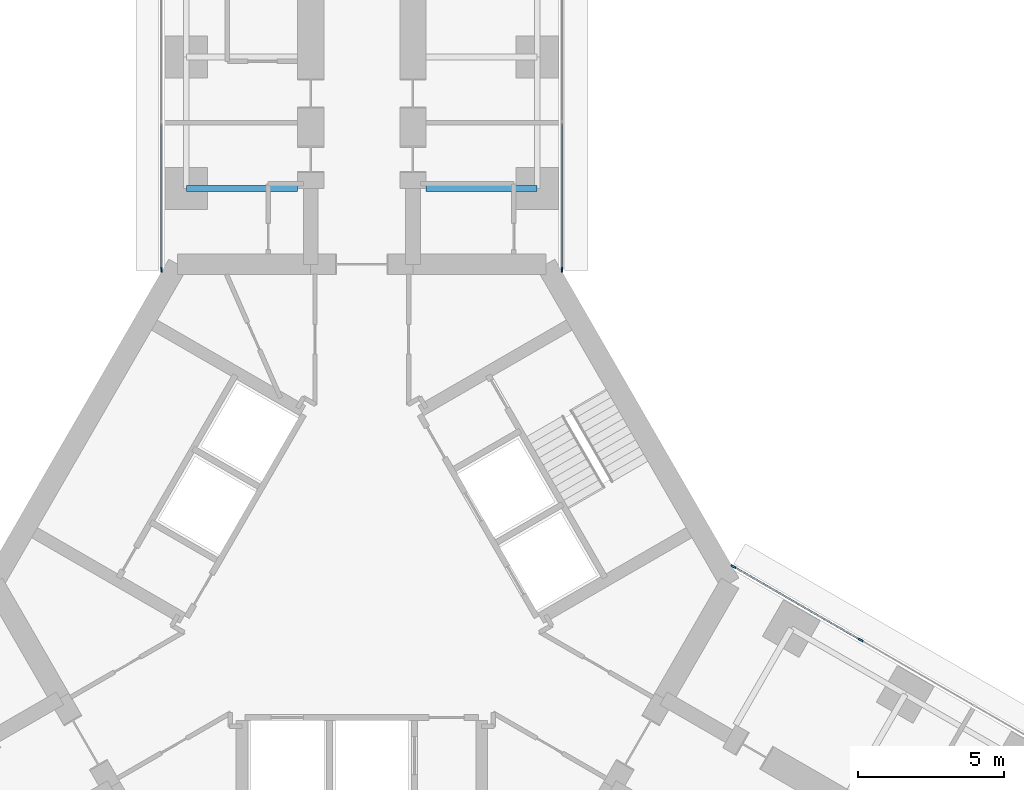
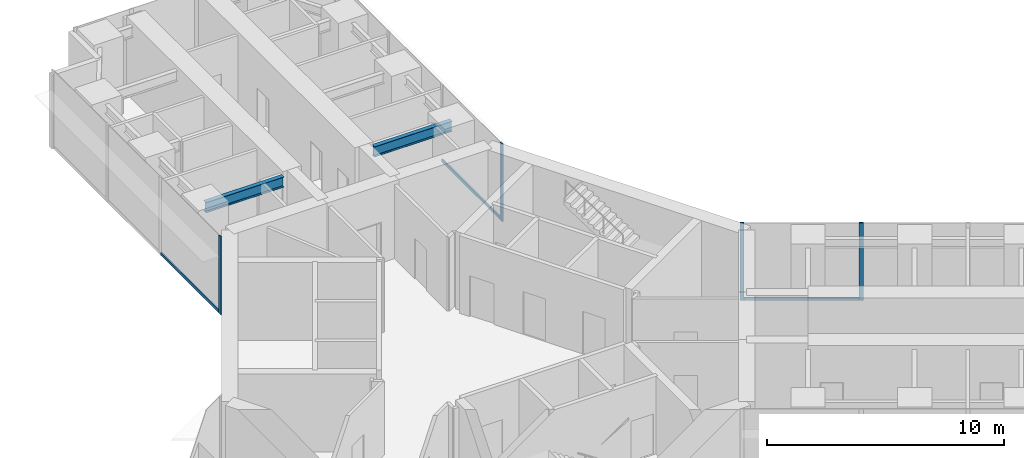
# One storey, part 11 of 24: 7 members, 2 beams, 3 elements without a shape of their own.
"""IFC4 building model written with IfcOpenShell, lengths in metres."""

from ifc_helpers import new_model, si_unit, direction, frame, origin, origin_2d, place, context, subcontext, project, spatial, rectangle, i_section, extrude, material, material_profile, profile_set, type_object, element, aggregate, save


model = new_model("IFC4")

# Units and contexts
model_context = context("Model", 3, precision=1e-05, world=origin(), true_north=direction((0.0, 1.0)))
body_context = subcontext(model_context, "Body", "Model", "MODEL_VIEW")
ifc_project = project(units=[si_unit("LENGTHUNIT", "METRE"), si_unit("AREAUNIT", "SQUARE_METRE"), si_unit("VOLUMEUNIT", "CUBIC_METRE"), si_unit("PLANEANGLEUNIT", "RADIAN"), si_unit("MASSUNIT", "GRAM", prefix="KILO")], contexts=[model_context])

# Site, building, storey
site_placement = place(None, origin())
site = spatial("IfcSite", under=ifc_project, at=site_placement, CompositionType="ELEMENT")
building_placement = place(site_placement, origin())
building = spatial("IfcBuilding", under=site, at=building_placement, Name="Upepo Twin Towers", CompositionType="ELEMENT")
storey_placement = place(building_placement, frame((0.0, 0.0, 48.5)))
storey = spatial("IfcBuildingStorey", under=building, at=storey_placement, Name="L11", CompositionType="ELEMENT", Elevation=48.5)

# Beams
ifc_material_1 = material(Name="Steel S355", Category="steel")
ifc_material_profile_1 = material_profile(ifc_material_1, i_section(OverallWidth=0.209228515625, OverallDepth=0.533203125, WebThickness=0.010009765625, FlangeThickness=0.015625, FilletRadius=0.0126953125, at=origin_2d()), Name="UB 533x210x92")
ifc_profile_set_1 = profile_set([ifc_material_profile_1], Name="Steel S355")
beam_type = type_object("IfcBeamType", Name="Beam UB 533x210x92", PredefinedType="BEAM", material=ifc_profile_set_1)
for number, where, z_axis, x_axis, name in (
    (1, (52.5, -4.5, 3.533447265625), (1.0, 0.0, 0.0), (0.0, 1.0, 0.0), "T2 girder AL at 13.5"),
    (2, (64.5, -4.5, 3.533447265625), (-1.0, 0.0, 0.0), (0.0, -1.0, 0.0), "T2 girder AR at 13.5"),
):
    element("IfcBeam", number, at=place(storey_placement, frame(where, z_axis=z_axis, x_axis=x_axis)), inside=storey, type_object=beam_type, Name=name, PredefinedType="BEAM", context=body_context, shape_type="SweptSolid", body=[
        extrude(i_section(OverallWidth=0.209228515625, OverallDepth=0.533203125, WebThickness=0.010009765625, FlangeThickness=0.015625, FilletRadius=0.0126953125, at=origin_2d()), origin(), (0.0, 0.0, 1.0), 3.800048828125),
    ])

# Curtain wall, member
ifc_material_2 = material(Name="Aluminium and fritted glass", Category="aluminium")
curtain_wall_type = type_object("IfcCurtainWallType", Name="Tower curtain wall TW1, fritted glass", PredefinedType="NOTDEFINED", material=ifc_material_2)
curtain_wall_1_placement = place(storey_placement, origin())
curtain_wall_1 = element("IfcCurtainWall", 3, at=curtain_wall_1_placement, inside=storey, type_object=curtain_wall_type, Name="T2 L11 wing A flank L curtain wall", PredefinedType="NOTDEFINED")
ifc_material_3 = material(Name="Aluminium mullion", Category="aluminium")
ifc_material_profile_2 = material_profile(ifc_material_3, rectangle(XDim=0.06494140625, YDim=0.179931640625, at=origin_2d()), Name="MULLION 65x180")
ifc_profile_set_2 = profile_set([ifc_material_profile_2], Name="Aluminium mullion")
member_type_1 = type_object("IfcMemberType", Name="Mullion 65x180 TW1", PredefinedType="MULLION", material=ifc_profile_set_2)
member_1_placement = place(storey_placement, frame((51.64990234375, -7.2802734375, 0.0), z_axis=(0.0, 0.0, 1.0), x_axis=(-1.0, 0.0, 0.0)))
member_1 = element("IfcMember", 4, at=member_1_placement, type_object=member_type_1, Name="T2 L11 wing A flank L curtain wall mullion 1", PredefinedType="MULLION", context=body_context, shape_type="SweptSolid", body=[
    extrude(rectangle(XDim=0.06494140625, YDim=0.179931640625, at=origin_2d()), origin(), (0.0, 0.0, 1.0), 4.0),
])

curtain_wall_2_placement = place(storey_placement, origin())
curtain_wall_2 = element("IfcCurtainWall", 5, at=curtain_wall_2_placement, inside=storey, type_object=curtain_wall_type, Name="T2 L11 wing A flank R curtain wall", PredefinedType="NOTDEFINED")
member_2_placement = place(storey_placement, frame((65.35009765625, -7.2802734375, 0.0), z_axis=(0.0, 0.0, 1.0), x_axis=(1.0, 0.0, 0.0)))
member_2 = element("IfcMember", 6, at=member_2_placement, type_object=member_type_1, Name="T2 L11 wing A flank R curtain wall mullion 4", PredefinedType="MULLION", context=body_context, shape_type="SweptSolid", body=[
    extrude(rectangle(XDim=0.06494140625, YDim=0.179931640625, at=origin_2d()), origin(), (0.0, 0.0, 1.0), 4.0),
])

# Curtain wall, members
curtain_wall_3_placement = place(storey_placement, origin())
curtain_wall_3 = element("IfcCurtainWall", 7, at=curtain_wall_3_placement, inside=storey, type_object=curtain_wall_type, Name="T2 L11 wing C flank L curtain wall", PredefinedType="NOTDEFINED")
member_3_placement = place(storey_placement, frame((71.20849609375, -17.427490234375, 0.0), z_axis=(0.0, 0.0, 1.0), x_axis=(0.500000024426, 0.866025389682, 0.0)))
member_3 = element("IfcMember", 8, at=member_3_placement, type_object=member_type_1, Name="T2 L11 wing C flank L curtain wall mullion 1", PredefinedType="MULLION", context=body_context, shape_type="SweptSolid", body=[
    extrude(rectangle(XDim=0.06494140625, YDim=0.179931640625, at=origin_2d()), origin(), (0.0, 0.0, 1.0), 4.0),
])
member_4_placement = place(storey_placement, frame((75.56494140625, -19.942626953125, 0.0), z_axis=(0.0, 0.0, 1.0), x_axis=(0.500000024426, 0.866025389682, 0.0)))
member_4 = element("IfcMember", 9, at=member_4_placement, type_object=member_type_1, Name="T2 L11 wing C flank L curtain wall mullion 2", PredefinedType="MULLION", context=body_context, shape_type="SweptSolid", body=[
    extrude(rectangle(XDim=0.06494140625, YDim=0.179931640625, at=origin_2d()), origin(), (0.0, 0.0, 1.0), 4.0),
])

# Member
ifc_material_4 = material(Name="Aluminium transom", Category="aluminium")
ifc_material_profile_3 = material_profile(ifc_material_4, rectangle(XDim=0.06494140625, YDim=0.14990234375, at=origin_2d()), Name="TRANSOM 65x150")
ifc_profile_set_3 = profile_set([ifc_material_profile_3], Name="Aluminium transom")
member_type_2 = type_object("IfcMemberType", Name="Transom 65x150 TW1", PredefinedType="USERDEFINED", material=ifc_profile_set_3)
member_5_placement = place(storey_placement, frame((51.64990234375, -7.247802734375, 0.074951171875), z_axis=(0.0, 1.0, 0.0), x_axis=(-1.0, 0.0, 0.0)))
member_5 = element("IfcMember", 10, at=member_5_placement, type_object=member_type_2, Name="T2 L11 wing A flank L curtain wall transom 1", ObjectType="TRANSOM", PredefinedType="USERDEFINED", context=body_context, shape_type="SweptSolid", body=[
    extrude(rectangle(XDim=0.06494140625, YDim=0.14990234375, at=origin_2d()), origin(), (0.0, 0.0, 1.0), 4.96533203125),
])

aggregate(curtain_wall_1, [member_1, member_5])

member_6_placement = place(storey_placement, frame((65.35009765625, -2.282470703125, 0.074951171875), z_axis=(0.0, -1.0, 0.0), x_axis=(1.0, 0.0, 0.0)))
member_6 = element("IfcMember", 11, at=member_6_placement, type_object=member_type_2, Name="T2 L11 wing A flank R curtain wall transom 3", ObjectType="TRANSOM", PredefinedType="USERDEFINED", context=body_context, shape_type="SweptSolid", body=[
    extrude(rectangle(XDim=0.06494140625, YDim=0.14990234375, at=origin_2d()), origin(), (0.0, 0.0, 1.0), 4.96533203125),
])

aggregate(curtain_wall_2, [member_2, member_6])

member_7_placement = place(storey_placement, frame((71.236572265625, -17.44384765625, 0.074951171875), z_axis=(0.866034933967, -0.499983492876, 0.0), x_axis=(0.499983492876, 0.866034933967, 0.0)))
member_7 = element("IfcMember", 12, at=member_7_placement, type_object=member_type_2, Name="T2 L11 wing C flank L curtain wall transom 1", ObjectType="TRANSOM", PredefinedType="USERDEFINED", context=body_context, shape_type="SweptSolid", body=[
    extrude(rectangle(XDim=0.06494140625, YDim=0.14990234375, at=origin_2d()), origin(), (0.0, 0.0, 1.0), 4.965576171875),
])

aggregate(curtain_wall_3, [member_3, member_4, member_7])

save(model, "model.ifc")
